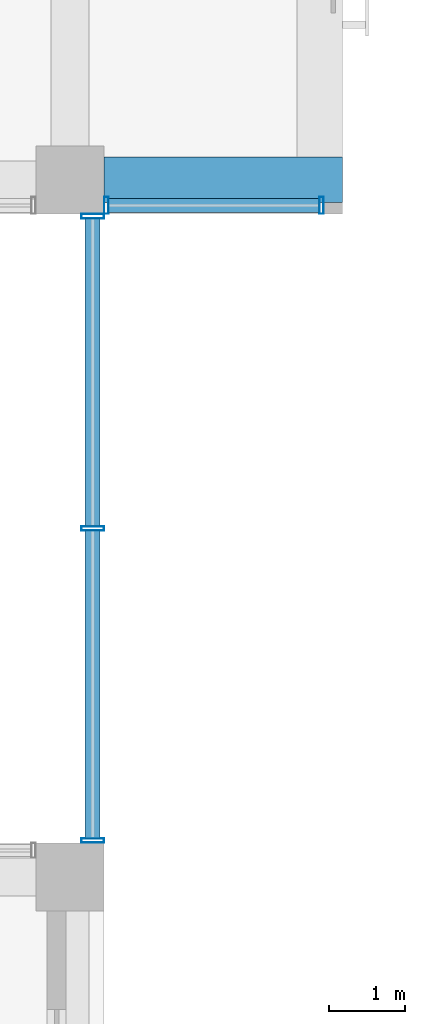
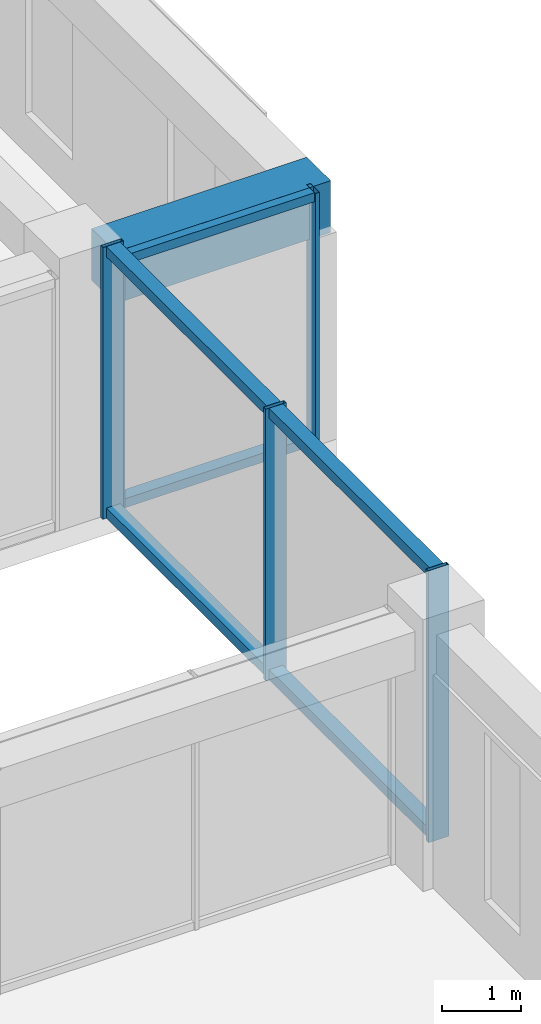
# One storey, part 19 of 37: 11 members, 1 beam, 2 elements without a shape of their own.
"""IFC4 building model written with IfcOpenShell, lengths in metres."""

import ifcopenshell
import ifcopenshell.guid

model = None  # the IFC model being written
_history = None  # IfcOwnerHistory: only IFC2X3 demands one
_inside = {}  # id of a spatial element -> (the spatial element, [elements in it])
_under = {}  # id of a project, library or spatial element -> (it, [spatial elements below it])
_declared = {}  # id of a project -> (the project, [libraries it declares])
_typed = {}  # id of a type object -> (the type object, [elements of that type])
_made_of = {}  # id of a material, layer set ... -> (it, [elements and type objects made of it])


def new_model(schema):
    """Start an empty IFC model of exactly this schema.

    Asked for "IFC4X3", IfcOpenShell would pick the latest addendum, in which some entities
    have other attributes; the version numbers below select the first issue.
    IFC2X3 requires an IfcOwnerHistory on every rooted entity: one is made here for all.
    """
    global model, _history
    if schema == "IFC4X3":
        model = ifcopenshell.file(schema_version=(4, 3, 0, 0))
    else:
        model = ifcopenshell.file(schema=schema)
    _inside.clear()
    _under.clear()
    _declared.clear()
    _typed.clear()
    _made_of.clear()
    _history = None
    if model.schema == "IFC2X3":
        org = make("IfcOrganization", Name="unknown")
        user = make(
            "IfcPersonAndOrganization",
            ThePerson=make("IfcPerson", FamilyName="unknown"),
            TheOrganization=org,
        )
        app = make(
            "IfcApplication",
            ApplicationDeveloper=org,
            Version="unknown",
            ApplicationFullName="unknown",
            ApplicationIdentifier="unknown",
        )
        _history = make(
            "IfcOwnerHistory",
            OwningUser=user,
            OwningApplication=app,
            ChangeAction="ADDED",
            CreationDate=0,
        )
    return model


def make(cls, **values):
    """One entity of the class cls with the attributes given. An attribute that is None is left unset."""
    return model.create_entity(
        cls, **{name: value for name, value in values.items() if value is not None}
    )


def rooted(cls, **values):
    """An entity with a GlobalId (a new one), such as an element, a storey or a relation."""
    return make(cls, GlobalId=ifcopenshell.guid.new(), OwnerHistory=_history, **values)


def si_unit(unit_type, name, prefix=None):
    """IfcSIUnit, for example si_unit("LENGTHUNIT", "METRE", prefix="MILLI")."""
    return make("IfcSIUnit", UnitType=unit_type, Prefix=prefix, Name=name)


def assignment(units):
    """IfcUnitAssignment: the units of a project."""
    return None if units is None else make("IfcUnitAssignment", Units=units)


def point(xyz):
    """IfcCartesianPoint."""
    return None if xyz is None else make("IfcCartesianPoint", Coordinates=xyz)


def direction(xyz):
    """IfcDirection."""
    return None if xyz is None else make("IfcDirection", DirectionRatios=xyz)


def frame(location, z_axis=None, x_axis=None):
    """IfcAxis2Placement3D, a coordinate frame: its origin and axes. An axis left out is left unset."""
    return make(
        "IfcAxis2Placement3D",
        Location=point(location),
        Axis=direction(z_axis),
        RefDirection=direction(x_axis),
    )


def frame_2d(location, x_axis=None):
    """IfcAxis2Placement2D, a coordinate frame in the plane: its origin and x axis."""
    return make(
        "IfcAxis2Placement2D", Location=point(location), RefDirection=direction(x_axis)
    )


def origin():
    """The frame at (0, 0, 0) with its axes left unset."""
    return frame((0.0, 0.0, 0.0))


def origin_2d():
    """The frame at (0, 0) in the plane with its x axis left unset."""
    return frame_2d((0.0, 0.0))


def place(relative_to, where):
    """IfcLocalPlacement: puts the frame where relative to a parent placement (None: the world)."""
    return make(
        "IfcLocalPlacement", PlacementRelTo=relative_to, RelativePlacement=where
    )


def context(
    kind, dimensions, precision=None, world=None, true_north=None, identifier=None
):
    """IfcGeometricRepresentationContext, for example the 3D "Model" context."""
    return make(
        "IfcGeometricRepresentationContext",
        ContextIdentifier=identifier,
        ContextType=kind,
        CoordinateSpaceDimension=dimensions,
        Precision=precision,
        WorldCoordinateSystem=world,
        TrueNorth=true_north,
    )


def subcontext(parent, identifier, kind, view, scale=None):
    """IfcGeometricRepresentationSubContext, for example "Body" below "Model"."""
    return make(
        "IfcGeometricRepresentationSubContext",
        ContextIdentifier=identifier,
        ContextType=kind,
        ParentContext=parent,
        TargetScale=scale,
        TargetView=view,
    )


def project(units=None, contexts=None):
    """IfcProject with its units and contexts."""
    return rooted(
        "IfcProject",
        Name="project",
        RepresentationContexts=contexts,
        UnitsInContext=assignment(units),
    )


def spatial(cls, under=None, at=None, **own):
    """A site, building, storey or space (cls), placed at a placement, below another one or the project."""
    s = rooted(cls, ObjectPlacement=at, **own)
    if under is not None:
        _under.setdefault(under.id(), (under, []))[1].append(s)
    return s


def profile(cls, at=None, kind="AREA", **sizes):
    """A parametric profile (cls). Its sizes go by their IFC names, for example OverallWidth=200.0."""
    return make(cls, ProfileType=kind, Position=at, **sizes)


def rectangle(**sizes):
    """IfcRectangleProfileDef."""
    return profile("IfcRectangleProfileDef", **sizes)


def hollow_rectangle(**sizes):
    """IfcRectangleHollowProfileDef."""
    return profile("IfcRectangleHollowProfileDef", **sizes)


def extrude(swept, where, along, depth):
    """IfcExtrudedAreaSolid: the profile swept, set in the frame where, extruded along a direction by depth."""
    return make(
        "IfcExtrudedAreaSolid",
        SweptArea=swept,
        Position=where,
        ExtrudedDirection=direction(along),
        Depth=depth,
    )


def shape(context_of_items, identifier, shape_type, items):
    """IfcShapeRepresentation: the items that make up one representation, for example the "Body"."""
    return make(
        "IfcShapeRepresentation",
        ContextOfItems=context_of_items,
        RepresentationIdentifier=identifier,
        RepresentationType=shape_type,
        Items=items,
    )


def material(Name=None, Category=None):
    """IfcMaterial."""
    return make("IfcMaterial", Name=Name, Category=Category)


def layer(
    of_material, thickness, ventilated=None, Name=None, Category=None, Priority=None
):
    """IfcMaterialLayer: one layer of a wall or slab, of a material (None: an air gap)."""
    return make(
        "IfcMaterialLayer",
        Material=of_material,
        LayerThickness=thickness,
        IsVentilated=ventilated,
        Name=Name,
        Category=Category,
        Priority=Priority,
    )


def layer_set(layers, Name=None):
    """IfcMaterialLayerSet."""
    return make("IfcMaterialLayerSet", MaterialLayers=layers, LayerSetName=Name)


def material_profile(
    of_material, cross_section, Name=None, Category=None, Priority=None
):
    """IfcMaterialProfile: a cross section and its material."""
    return make(
        "IfcMaterialProfile",
        Name=Name,
        Material=of_material,
        Profile=cross_section,
        Priority=Priority,
        Category=Category,
    )


def profile_set(profiles, Name=None, composite=None):
    """IfcMaterialProfileSet."""
    return make(
        "IfcMaterialProfileSet",
        Name=Name,
        MaterialProfiles=profiles,
        CompositeProfile=composite,
    )


def made_of(thing, what):
    """Note that an element or type object is made of a material, layer set ...; save() writes the relation."""
    if what is not None:
        _made_of.setdefault(what.id(), (what, []))[1].append(thing)
    return thing


def type_object(cls, material=None, **own):
    """A type object (cls), such as IfcWallType, which elements share."""
    return made_of(rooted(cls, **own), material)


def element(
    cls,
    number,
    at=None,
    inside=None,
    cuts=None,
    type_object=None,
    material=None,
    context=None,
    identifier="Body",
    shape_type=None,
    held_by="IfcProductDefinitionShape",
    body=None,
    shapes=None,
    **own,
):
    """One element of the class cls, such as IfcWall. Its Tag is "e" and its number.

    at: its placement. inside: the storey or other place that contains it. cuts: it is an
    opening in that element (IfcRelVoidsElement). A single representation is given by context,
    identifier, shape_type and body (its items); several are given by shapes. held_by: the class
    of the entity that holds the representations. save() writes the other relations.
    """
    e = rooted(cls, Tag="e%d" % number, ObjectPlacement=at, **own)
    if body is not None:
        shapes = [shape(context, identifier, shape_type, body)]
    if shapes is not None:
        e.Representation = make(held_by, Representations=shapes)
    if inside is not None:
        _inside.setdefault(inside.id(), (inside, []))[1].append(e)
    if cuts is not None:
        rooted(
            "IfcRelVoidsElement", RelatingBuildingElement=cuts, RelatedOpeningElement=e
        )
    if type_object is not None:
        _typed.setdefault(type_object.id(), (type_object, []))[1].append(e)
    return made_of(e, material)


def aggregate(whole, parts):
    """IfcRelAggregates: a whole, such as a stair, and the parts it consists of."""
    return rooted("IfcRelAggregates", RelatingObject=whole, RelatedObjects=parts)


def save(model, path):
    """Write the relations noted so far, then the file.

    IfcRelAggregates (storeys below a building ...), IfcRelContainedInSpatialStructure (elements
    in a storey), IfcRelDefinesByType, IfcRelAssociatesMaterial and IfcRelDeclares: one each for
    every whole, place, type object, material and project.
    """
    for whole, parts in _under.values():
        aggregate(whole, parts)
    for where, things in _inside.values():
        rooted(
            "IfcRelContainedInSpatialStructure",
            RelatedElements=things,
            RelatingStructure=where,
        )
    for kind, things in _typed.values():
        rooted("IfcRelDefinesByType", RelatedObjects=things, RelatingType=kind)
    for what, things in _made_of.values():
        rooted("IfcRelAssociatesMaterial", RelatedObjects=things, RelatingMaterial=what)
    for by, libraries in _declared.values():
        rooted("IfcRelDeclares", RelatingContext=by, RelatedDefinitions=libraries)
    model.write(path)


model = new_model("IFC4")

# Units and contexts
model_context = context("Model", 3, precision=1e-05, world=origin(), true_north=direction((0.0, 1.0)))
body_context = subcontext(model_context, "Body", "Model", "MODEL_VIEW")
ifc_project = project(units=[si_unit("LENGTHUNIT", "METRE"), si_unit("AREAUNIT", "SQUARE_METRE"), si_unit("VOLUMEUNIT", "CUBIC_METRE"), si_unit("PLANEANGLEUNIT", "RADIAN"), si_unit("MASSUNIT", "GRAM", prefix="KILO")], contexts=[model_context])

# Site, building, storey
site_placement = place(None, origin())
site = spatial("IfcSite", under=ifc_project, at=site_placement, CompositionType="ELEMENT")
building_placement = place(site_placement, origin())
building = spatial("IfcBuilding", under=site, at=building_placement, Name="Nzadi Deep Aquarium and Research Tower", CompositionType="ELEMENT")
storey_placement = place(building_placement, frame((0.0, 0.0, 57.10009765625)))
storey = spatial("IfcBuildingStorey", under=building, at=storey_placement, Name="L11", CompositionType="ELEMENT", Elevation=57.10009765625)

# Curtain wall, members
ifc_material_1 = material(Name="Aluminium unitised frame deep", Category="aluminium")
ifc_layer_1 = layer(ifc_material_1, 0.22509765625)
ifc_layer_set_1 = layer_set([ifc_layer_1], Name="Aluminium unitised frame deep")
curtain_wall_type_1 = type_object("IfcCurtainWallType", Name="Curtain wall Unitised Deep 225", PredefinedType="NOTDEFINED", material=ifc_layer_set_1)
curtain_wall_1_placement = place(storey_placement, origin())
curtain_wall_1 = element("IfcCurtainWall", 1, at=curtain_wall_1_placement, inside=storey, type_object=curtain_wall_type_1, Name="Unitised curtain wall blade B south L11", PredefinedType="NOTDEFINED")
ifc_material_2 = material(Name="Aluminium unitised frame deep", Category="aluminium")
ifc_material_profile_1 = material_profile(ifc_material_2, hollow_rectangle(XDim=0.22509765625, YDim=0.06005859375, WallThickness=0.0048828125, at=origin_2d()))
ifc_profile_set_1 = profile_set([ifc_material_profile_1], Name="Aluminium unitised frame deep")
member_type_1 = type_object("IfcMemberType", Name="Mullion 60x225 Unitised Deep", PredefinedType="MULLION", material=ifc_profile_set_1)
member_1_placement = place(storey_placement, frame((48.47998046875, 27.262451171875, 0.0), z_axis=(0.0, 0.0, 1.0), x_axis=(0.0, 1.0, 0.0)))
member_1 = element("IfcMember", 2, at=member_1_placement, type_object=member_type_1, Name="CW145 mullion 1", PredefinedType="MULLION", context=body_context, shape_type="SweptSolid", body=[
    extrude(hollow_rectangle(XDim=0.22509765625, YDim=0.06005859375, WallThickness=0.0048828125, at=origin_2d()), origin(), (0.0, 0.0, 1.0), 3.89990234375),
])
member_2_placement = place(storey_placement, frame((51.320068359375, 27.262451171875, 0.0), z_axis=(0.0, 0.0, 1.0), x_axis=(0.0, 1.0, 0.0)))
member_2 = element("IfcMember", 3, at=member_2_placement, type_object=member_type_1, Name="CW145 mullion 2", PredefinedType="MULLION", context=body_context, shape_type="SweptSolid", body=[
    extrude(hollow_rectangle(XDim=0.22509765625, YDim=0.06005859375, WallThickness=0.0048828125, at=origin_2d()), origin(), (0.0, 0.0, 1.0), 3.89990234375),
])

ifc_material_3 = material(Name="Aluminium unitised frame wind post", Category="aluminium")
ifc_layer_2 = layer(ifc_material_3, 0.300048828125)
ifc_layer_set_2 = layer_set([ifc_layer_2], Name="Aluminium unitised frame wind post")
curtain_wall_type_2 = type_object("IfcCurtainWallType", Name="Curtain wall Slot End 300", PredefinedType="NOTDEFINED", material=ifc_layer_set_2)
curtain_wall_2_placement = place(storey_placement, origin())
curtain_wall_2 = element("IfcCurtainWall", 4, at=curtain_wall_2_placement, inside=storey, type_object=curtain_wall_type_2, Name="Glazed slot end east L11", PredefinedType="NOTDEFINED")
ifc_material_4 = material(Name="Aluminium unitised frame wind post", Category="aluminium")
ifc_material_profile_2 = material_profile(ifc_material_4, hollow_rectangle(XDim=0.300048828125, YDim=0.06005859375, WallThickness=0.0048828125, at=origin_2d()))
ifc_profile_set_2 = profile_set([ifc_material_profile_2], Name="Aluminium unitised frame wind post")
member_type_2 = type_object("IfcMemberType", Name="Mullion 60x300 Slot End", PredefinedType="MULLION", material=ifc_profile_set_2)
member_3_placement = place(storey_placement, frame((48.300048828125, 18.8798828125, 0.0), z_axis=(0.0, 0.0, 1.0), x_axis=(-1.0, 0.0, 0.0)))
member_3 = element("IfcMember", 5, at=member_3_placement, type_object=member_type_2, Name="CW214 mullion 1", PredefinedType="MULLION", context=body_context, shape_type="SweptSolid", body=[
    extrude(hollow_rectangle(XDim=0.300048828125, YDim=0.06005859375, WallThickness=0.0048828125, at=origin_2d()), origin(), (0.0, 0.0, 1.0), 4.199951171875),
])
member_4_placement = place(storey_placement, frame((48.300048828125, 23.0, 0.0), z_axis=(0.0, 0.0, 1.0), x_axis=(-1.0, 0.0, 0.0)))
member_4 = element("IfcMember", 6, at=member_4_placement, type_object=member_type_2, Name="CW214 mullion 2", PredefinedType="MULLION", context=body_context, shape_type="SweptSolid", body=[
    extrude(hollow_rectangle(XDim=0.300048828125, YDim=0.06005859375, WallThickness=0.0048828125, at=origin_2d()), origin(), (0.0, 0.0, 1.0), 4.199951171875),
])
member_5_placement = place(storey_placement, frame((48.300048828125, 27.1201171875, 0.0), z_axis=(0.0, 0.0, 1.0), x_axis=(-1.0, 0.0, 0.0)))
member_5 = element("IfcMember", 7, at=member_5_placement, type_object=member_type_2, Name="CW214 mullion 3", PredefinedType="MULLION", context=body_context, shape_type="SweptSolid", body=[
    extrude(hollow_rectangle(XDim=0.300048828125, YDim=0.06005859375, WallThickness=0.0048828125, at=origin_2d()), origin(), (0.0, 0.0, 1.0), 4.199951171875),
])

# Beam
ifc_material_5 = material(Name="Concrete C35/45", Category="concrete")
ifc_material_profile_3 = material_profile(ifc_material_5, rectangle(XDim=0.60009765625, YDim=0.800048828125, at=origin_2d()))
ifc_profile_set_3 = profile_set([ifc_material_profile_3], Name="Concrete C35/45")
beam_type = type_object("IfcBeamType", Name="RC 600x800", PredefinedType="BEAM", material=ifc_profile_set_3)
beam_placement = place(storey_placement, frame((48.449951171875, 27.60009765625, 3.5), z_axis=(1.0, 0.0, 0.0), x_axis=(0.0, 1.0, 0.0)))
element("IfcBeam", 8, at=beam_placement, inside=storey, type_object=beam_type, Name="B-Z1-L11-CANT4", PredefinedType="BEAM", context=body_context, shape_type="SweptSolid", body=[
    extrude(rectangle(XDim=0.60009765625, YDim=0.800048828125, at=origin_2d()), origin(), (0.0, 0.0, 1.0), 3.150146484375),
])

# Member
ifc_material_6 = material(Name="Aluminium unitised frame deep", Category="aluminium")
ifc_material_profile_4 = material_profile(ifc_material_6, hollow_rectangle(XDim=0.179931640625, YDim=0.139892578125, WallThickness=0.0048828125, at=origin_2d()))
ifc_profile_set_4 = profile_set([ifc_material_profile_4], Name="Aluminium unitised frame deep")
member_type_3 = type_object("IfcMemberType", Name="Transom 140x180 Unitised Deep", PredefinedType="MULLION", material=ifc_profile_set_4)
member_6_placement = place(storey_placement, frame((48.510009765625, 27.262451171875, 0.06982421875), z_axis=(1.0, 0.0, 0.0), x_axis=(0.0, 1.0, 0.0)))
member_6 = element("IfcMember", 9, at=member_6_placement, type_object=member_type_3, Name="CW145 transom 1.1", PredefinedType="MULLION", context=body_context, shape_type="SweptSolid", body=[
    extrude(hollow_rectangle(XDim=0.179931640625, YDim=0.139892578125, WallThickness=0.0048828125, at=origin_2d()), origin(), (0.0, 0.0, 1.0), 2.780029296875),
])

member_7_placement = place(storey_placement, frame((48.510009765625, 27.262451171875, 3.829833984375), z_axis=(1.0, 0.0, 0.0), x_axis=(0.0, 1.0, 0.0)))
member_7 = element("IfcMember", 10, at=member_7_placement, type_object=member_type_3, Name="CW145 transom 1.2", PredefinedType="MULLION", context=body_context, shape_type="SweptSolid", body=[
    extrude(hollow_rectangle(XDim=0.179931640625, YDim=0.139892578125, WallThickness=0.0048828125, at=origin_2d()), origin(), (0.0, 0.0, 1.0), 2.780029296875),
])

aggregate(curtain_wall_1, [member_1, member_2, member_6, member_7])

ifc_material_7 = material(Name="Aluminium unitised frame wind post", Category="aluminium")
ifc_material_profile_5 = material_profile(ifc_material_7, hollow_rectangle(XDim=0.199951171875, YDim=0.159912109375, WallThickness=0.0048828125, at=origin_2d()))
ifc_profile_set_5 = profile_set([ifc_material_profile_5], Name="Aluminium unitised frame wind post")
member_type_4 = type_object("IfcMemberType", Name="Transom 160x200 Slot End", PredefinedType="MULLION", material=ifc_profile_set_5)
member_8_placement = place(storey_placement, frame((48.300048828125, 18.909912109375, 0.079833984375), z_axis=(0.0, 1.0, 0.0), x_axis=(-1.0, 0.0, 0.0)))
member_8 = element("IfcMember", 11, at=member_8_placement, type_object=member_type_4, Name="CW214 transom 1.1", PredefinedType="MULLION", context=body_context, shape_type="SweptSolid", body=[
    extrude(hollow_rectangle(XDim=0.199951171875, YDim=0.159912109375, WallThickness=0.0048828125, at=origin_2d()), origin(), (0.0, 0.0, 1.0), 4.06005859375),
])

member_9_placement = place(storey_placement, frame((48.300048828125, 18.909912109375, 4.119873046875), z_axis=(0.0, 1.0, 0.0), x_axis=(-1.0, 0.0, 0.0)))
member_9 = element("IfcMember", 12, at=member_9_placement, type_object=member_type_4, Name="CW214 transom 1.2", PredefinedType="MULLION", context=body_context, shape_type="SweptSolid", body=[
    extrude(hollow_rectangle(XDim=0.199951171875, YDim=0.159912109375, WallThickness=0.0048828125, at=origin_2d()), origin(), (0.0, 0.0, 1.0), 4.06005859375),
])

member_10_placement = place(storey_placement, frame((48.300048828125, 23.030029296875, 0.079833984375), z_axis=(0.0, 1.0, 0.0), x_axis=(-1.0, 0.0, 0.0)))
member_10 = element("IfcMember", 13, at=member_10_placement, type_object=member_type_4, Name="CW214 transom 2.1", PredefinedType="MULLION", context=body_context, shape_type="SweptSolid", body=[
    extrude(hollow_rectangle(XDim=0.199951171875, YDim=0.159912109375, WallThickness=0.0048828125, at=origin_2d()), origin(), (0.0, 0.0, 1.0), 4.06005859375),
])

member_11_placement = place(storey_placement, frame((48.300048828125, 23.030029296875, 4.119873046875), z_axis=(0.0, 1.0, 0.0), x_axis=(-1.0, 0.0, 0.0)))
member_11 = element("IfcMember", 14, at=member_11_placement, type_object=member_type_4, Name="CW214 transom 2.2", PredefinedType="MULLION", context=body_context, shape_type="SweptSolid", body=[
    extrude(hollow_rectangle(XDim=0.199951171875, YDim=0.159912109375, WallThickness=0.0048828125, at=origin_2d()), origin(), (0.0, 0.0, 1.0), 4.06005859375),
])

aggregate(curtain_wall_2, [member_3, member_4, member_5, member_8, member_9, member_10, member_11])

save(model, "model.ifc")
